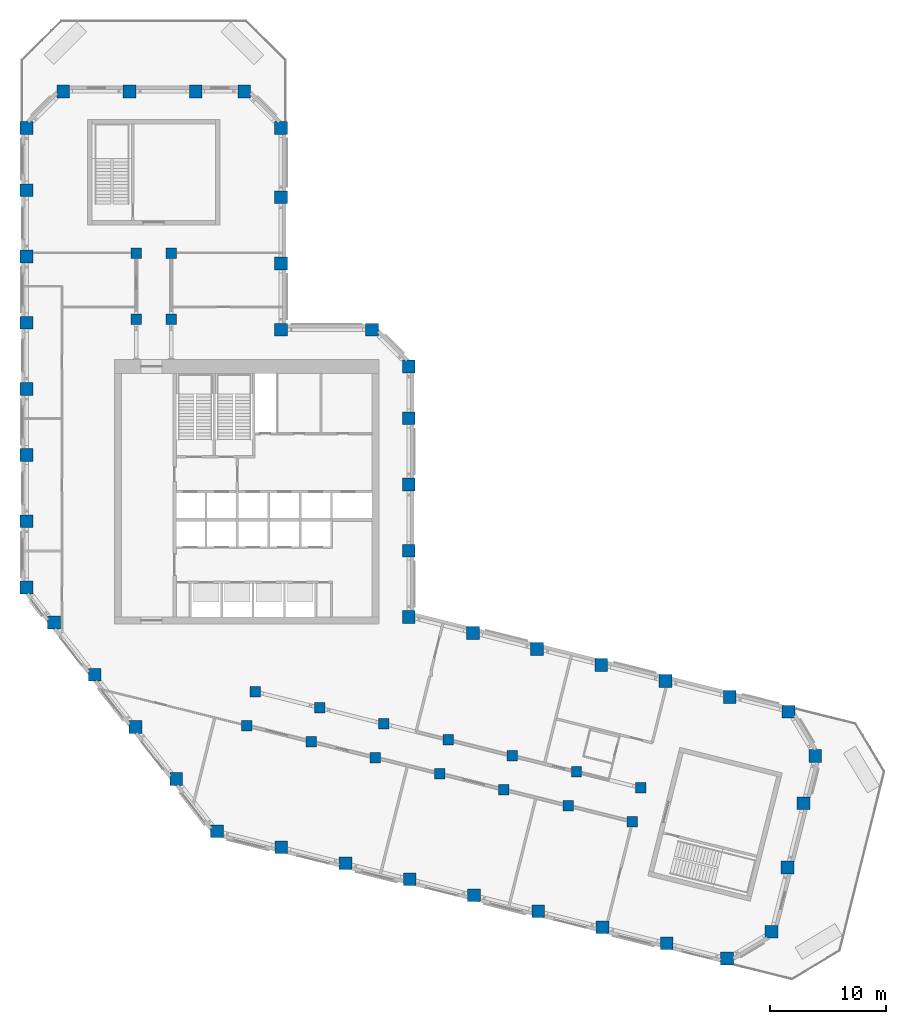
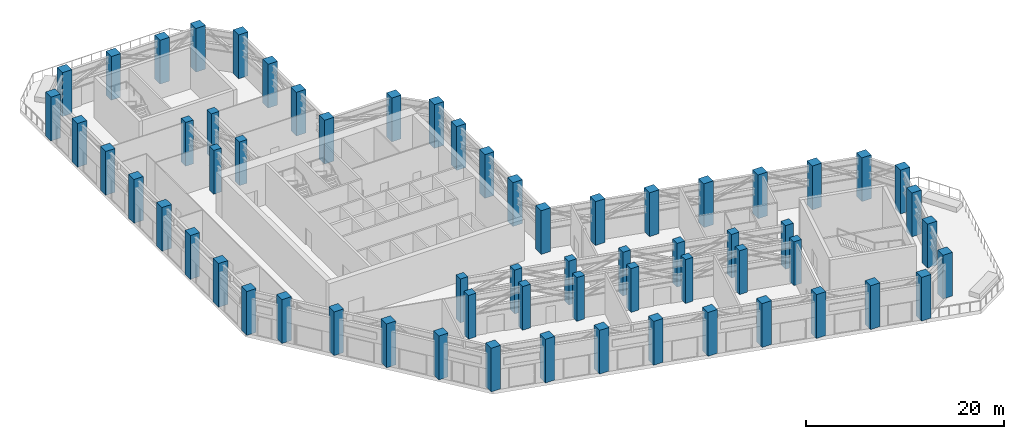
# One storey, part 1 of 21: 63 columns.
"""IFC4 building model written with IfcOpenShell, lengths in metres."""

from ifc_helpers import new_model, si_unit, direction, frame, origin, origin_2d, place, context, subcontext, project, spatial, rectangle, extrude, material, material_profile, profile_set, type_object, element, save


model = new_model("IFC4")

# Units and contexts
model_context = context("Model", 3, precision=1e-05, world=origin(), true_north=direction((0.0, 1.0)))
body_context = subcontext(model_context, "Body", "Model", "MODEL_VIEW")
ifc_project = project(units=[si_unit("LENGTHUNIT", "METRE"), si_unit("AREAUNIT", "SQUARE_METRE"), si_unit("VOLUMEUNIT", "CUBIC_METRE"), si_unit("PLANEANGLEUNIT", "RADIAN"), si_unit("MASSUNIT", "GRAM", prefix="KILO")], contexts=[model_context])

# Site, building, storey
site_placement = place(None, origin())
site = spatial("IfcSite", under=ifc_project, at=site_placement, CompositionType="ELEMENT")
building_placement = place(site_placement, origin())
building = spatial("IfcBuilding", under=site, at=building_placement, Name="Meshkara Civic Tower", CompositionType="ELEMENT")
storey_placement = place(building_placement, frame((0.0, 0.0, 284.39990234375)))
storey = spatial("IfcBuildingStorey", under=building, at=storey_placement, Name="L65", CompositionType="ELEMENT", Elevation=284.39990234375)

# Columns
ifc_material_1 = material(Name="Concrete C60", Category="concrete")
ifc_material_profile_1 = material_profile(ifc_material_1, rectangle(XDim=0.89990234375, YDim=0.89990234375, at=origin_2d()))
ifc_profile_set_1 = profile_set([ifc_material_profile_1], Name="Concrete C60")
column_type_1 = type_object("IfcColumnType", Name="Interior column RC 900x900 C60", PredefinedType="COLUMN", material=ifc_profile_set_1)
for number, where, z_axis, x_axis, name in (
    (1, (9.89990234375, 40.35009765625, 0.0), (0.0, 0.0, 1.0), (1.0, 0.0, 0.0), "Column SA1-04 L65"),
    (2, (9.89990234375, 46.050048828125, 0.0), (0.0, 0.0, 1.0), (1.0, 0.0, 0.0), "Column SA1-05 L65"),
    (3, (12.89990234375, 40.35009765625, 0.0), (0.0, 0.0, 1.0), (1.0, 0.0, 0.0), "Column SA2-04 L65"),
    (4, (12.89990234375, 46.050048828125, 0.0), (0.0, 0.0, 1.0), (1.0, 0.0, 0.0), "Column SA2-05 L65"),
    (5, (19.424072265625, 5.360107421875, 0.0), (0.0, 0.0, 1.0), (1.0, 0.0, 0.0), "Column SB1-00 L65"),
    (6, (24.9541015625, 3.98095703125, 0.0), (0.0, 0.0, 1.0), (1.0, 0.0, 0.0), "Column SB1-01 L65"),
    (7, (30.485107421875, 2.60205078125, 0.0), (0.0, 0.0, 1.0), (1.0, 0.0, 0.0), "Column SB1-02 L65"),
    (8, (36.01611328125, 1.222900390625, 0.0), (0.0, 0.0, 1.0), (1.0, 0.0, 0.0), "Column SB1-03 L65"),
    (9, (41.5458984375, -0.156005859375, 0.0), (0.0, 0.0, 1.0), (1.0, 0.0, 0.0), "Column SB1-04 L65"),
    (10, (47.076904296875, -1.534912109375, 0.0), (0.0, 0.0, 1.0), (1.0, 0.0, 0.0), "Column SB1-05 L65"),
    (11, (52.60791015625, -2.9140625, 0.0), (0.0, 0.0, 1.0), (1.0, 0.0, 0.0), "Column SB1-06 L65"),
    (12, (20.14892578125, 8.27099609375, 0.0), (0.0, 0.0, 1.0), (1.0, 0.0, 0.0), "Column SB2-00 L65"),
    (13, (25.679931640625, 6.89208984375, 0.0), (0.0, 0.0, 1.0), (1.0, 0.0, 0.0), "Column SB2-01 L65"),
    (14, (31.2109375, 5.512939453125, 0.0), (0.0, 0.0, 1.0), (1.0, 0.0, 0.0), "Column SB2-02 L65"),
    (15, (36.741943359375, 4.134033203125, 0.0), (0.0, 0.0, 1.0), (1.0, 0.0, 0.0), "Column SB2-03 L65"),
    (16, (42.27197265625, 2.7548828125, 0.0), (0.0, 0.0, 1.0), (1.0, 0.0, 0.0), "Column SB2-04 L65"),
    (17, (47.802978515625, 1.3759765625, 0.0), (0.0, 0.0, 1.0), (1.0, 0.0, 0.0), "Column SB2-05 L65"),
    (18, (53.333984375, -0.0029296875, 0.0), (0.0, 0.0, 1.0), (1.0, 0.0, 0.0), "Column SB2-06 L65"),
):
    element("IfcColumn", number, at=place(storey_placement, frame(where, z_axis=z_axis, x_axis=x_axis)), inside=storey, type_object=column_type_1, Name=name, PredefinedType="COLUMN", context=body_context, shape_type="SweptSolid", body=[
        extrude(rectangle(XDim=0.89990234375, YDim=0.89990234375, at=origin_2d()), origin(), (0.0, 0.0, 1.0), 5.400146484375),
    ])
ifc_material_2 = material(Name="Concrete C60", Category="concrete")
ifc_material_profile_2 = material_profile(ifc_material_2, rectangle(XDim=1.10009765625, YDim=1.10009765625, at=origin_2d()))
ifc_profile_set_2 = profile_set([ifc_material_profile_2], Name="Concrete C60")
column_type_2 = type_object("IfcColumnType", Name="Perimeter column RC 1100x1100 C60", PredefinedType="COLUMN", material=ifc_profile_set_2)
for number, where, z_axis, x_axis, name in (
    (19, (33.35009765625, 14.718994140625, 0.0), (0.0, 0.0, 1.0), (1.0, 0.0, 0.0), "Column HE00 L65"),
    (20, (33.35009765625, 20.4189453125, 0.0), (0.0, 0.0, 1.0), (1.0, 0.0, 0.0), "Column HE01 L65"),
    (21, (33.35009765625, 26.118896484375, 0.0), (0.0, 0.0, 1.0), (1.0, 0.0, 0.0), "Column HE02 L65"),
    (22, (33.35009765625, 31.819091796875, 0.0), (0.0, 0.0, 1.0), (1.0, 0.0, 0.0), "Column HE03 L65"),
    (23, (33.35009765625, 36.2939453125, 0.0), (0.0, 0.0, 1.0), (1.0, 0.0, 0.0), "Column HEE L65"),
    (24, (30.194091796875, 39.449951171875, 0.0), (0.0, 0.0, 1.0), (1.0, 0.0, 0.0), "Column HCeE L65"),
    (25, (22.35009765625, 39.449951171875, 0.0), (0.0, 0.0, 1.0), (1.0, 0.0, 0.0), "Column HN00 L65"),
    (26, (22.35009765625, 45.14990234375, 0.0), (0.0, 0.0, 1.0), (1.0, 0.0, 0.0), "Column AE01 L65"),
    (27, (22.35009765625, 50.85009765625, 0.0), (0.0, 0.0, 1.0), (1.0, 0.0, 0.0), "Column AE02 L65"),
    (28, (22.35009765625, 56.81396484375, 0.0), (0.0, 0.0, 1.0), (1.0, 0.0, 0.0), "Column AEEP4 L65"),
    (29, (19.194091796875, 59.969970703125, 0.0), (0.0, 0.0, 1.0), (1.0, 0.0, 0.0), "Column ATiEP4 L65"),
    (30, (3.60595703125, 59.969970703125, 0.0), (0.0, 0.0, 1.0), (1.0, 0.0, 0.0), "Column AT00-P4 L65"),
    (31, (9.305908203125, 59.969970703125, 0.0), (0.0, 0.0, 1.0), (1.0, 0.0, 0.0), "Column AT01-P4 L65"),
    (32, (15.006103515625, 59.969970703125, 0.0), (0.0, 0.0, 1.0), (1.0, 0.0, 0.0), "Column AT02-P4 L65"),
    (33, (0.449951171875, 56.81396484375, 0.0), (0.0, 0.0, 1.0), (1.0, 0.0, 0.0), "Column ATo00-P4 L65"),
    (34, (0.449951171875, 17.2548828125, 0.0), (0.0, 0.0, 1.0), (1.0, 0.0, 0.0), "Column AW00 L65"),
    (35, (0.449951171875, 22.955078125, 0.0), (0.0, 0.0, 1.0), (1.0, 0.0, 0.0), "Column AW01 L65"),
    (36, (0.449951171875, 28.655029296875, 0.0), (0.0, 0.0, 1.0), (1.0, 0.0, 0.0), "Column AW02 L65"),
    (37, (0.449951171875, 34.35498046875, 0.0), (0.0, 0.0, 1.0), (1.0, 0.0, 0.0), "Column AW03 L65"),
    (38, (0.449951171875, 40.054931640625, 0.0), (0.0, 0.0, 1.0), (1.0, 0.0, 0.0), "Column AW04 L65"),
    (39, (0.449951171875, 45.7548828125, 0.0), (0.0, 0.0, 1.0), (1.0, 0.0, 0.0), "Column AW05 L65"),
    (40, (0.449951171875, 51.455078125, 0.0), (0.0, 0.0, 1.0), (1.0, 0.0, 0.0), "Column AW06 L65"),
    (41, (16.85107421875, -3.738037109375, 0.0), (0.0, 0.0, 1.0), (1.0, 0.0, 0.0), "Column BOW00 L65"),
    (42, (13.342041015625, 0.75390625, 0.0), (0.0, 0.0, 1.0), (1.0, 0.0, 0.0), "Column BOW01 L65"),
    (43, (9.8330078125, 5.2451171875, 0.0), (0.0, 0.0, 1.0), (1.0, 0.0, 0.0), "Column BOW02 L65"),
    (44, (6.322998046875, 9.737060546875, 0.0), (0.0, 0.0, 1.0), (1.0, 0.0, 0.0), "Column BOW03 L65"),
    (45, (2.81396484375, 14.22900390625, 0.0), (0.0, 0.0, 1.0), (1.0, 0.0, 0.0), "Column BOW04 L65"),
    (46, (22.382080078125, -5.116943359375, 0.0), (0.0, 0.0, 1.0), (1.0, 0.0, 0.0), "Column BS01 L65"),
    (47, (27.912109375, -6.49609375, 0.0), (0.0, 0.0, 1.0), (1.0, 0.0, 0.0), "Column BS02 L65"),
    (48, (33.443115234375, -7.875, 0.0), (0.0, 0.0, 1.0), (1.0, 0.0, 0.0), "Column BS03 L65"),
    (49, (38.97412109375, -9.25390625, 0.0), (0.0, 0.0, 1.0), (1.0, 0.0, 0.0), "Column BS04 L65"),
    (50, (44.50390625, -10.633056640625, 0.0), (0.0, 0.0, 1.0), (1.0, 0.0, 0.0), "Column BS05-P4 L65"),
    (51, (50.034912109375, -12.011962890625, 0.0), (0.0, 0.0, 1.0), (1.0, 0.0, 0.0), "Column BS06-P4 L65"),
    (52, (55.56591796875, -13.389892578125, 0.0), (0.0, 0.0, 1.0), (1.0, 0.0, 0.0), "Column BS07 L65"),
    (53, (60.76611328125, -14.68701171875, 0.0), (0.0, 0.0, 1.0), (1.0, 0.0, 0.0), "Column BSEP4 L65"),
    (54, (64.591064453125, -12.386962890625, 0.0), (0.0, 0.0, 1.0), (1.0, 0.0, 0.0), "Column BToEP4 L65"),
    (55, (65.969970703125, -6.85595703125, 0.0), (0.0, 0.0, 1.0), (1.0, 0.0, 0.0), "Column BT01-P4 L65"),
    (56, (67.34912109375, -1.325927734375, 0.0), (0.0, 0.0, 1.0), (1.0, 0.0, 0.0), "Column BT02-P4 L65"),
    (57, (68.362060546875, 2.736083984375, 0.0), (0.0, 0.0, 1.0), (1.0, 0.0, 0.0), "Column BTEP4 L65"),
    (58, (66.06298828125, 6.56201171875, 0.0), (0.0, 0.0, 1.0), (1.0, 0.0, 0.0), "Column BTi00-P4 L65"),
    (59, (38.881103515625, 13.340087890625, 0.0), (0.0, 0.0, 1.0), (1.0, 0.0, 0.0), "Column BN01 L65"),
    (60, (44.410888671875, 11.9609375, 0.0), (0.0, 0.0, 1.0), (1.0, 0.0, 0.0), "Column BN02 L65"),
    (61, (49.94189453125, 10.58203125, 0.0), (0.0, 0.0, 1.0), (1.0, 0.0, 0.0), "Column BN03 L65"),
    (62, (55.472900390625, 9.202880859375, 0.0), (0.0, 0.0, 1.0), (1.0, 0.0, 0.0), "Column BN04 L65"),
    (63, (61.0029296875, 7.823974609375, 0.0), (0.0, 0.0, 1.0), (1.0, 0.0, 0.0), "Column BN05 L65"),
):
    element("IfcColumn", number, at=place(storey_placement, frame(where, z_axis=z_axis, x_axis=x_axis)), inside=storey, type_object=column_type_2, Name=name, PredefinedType="COLUMN", context=body_context, shape_type="SweptSolid", body=[
        extrude(rectangle(XDim=1.10009765625, YDim=1.10009765625, at=origin_2d()), origin(), (0.0, 0.0, 1.0), 5.400146484375),
    ])

save(model, "model.ifc")
